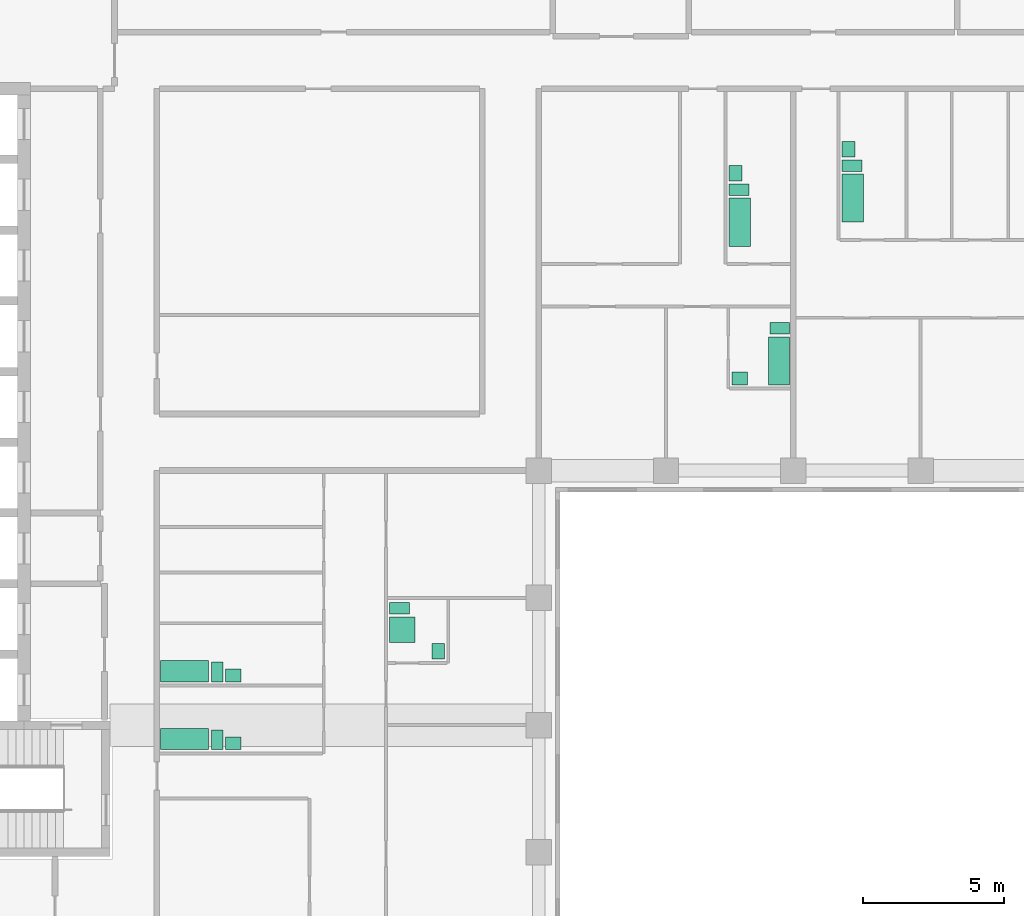
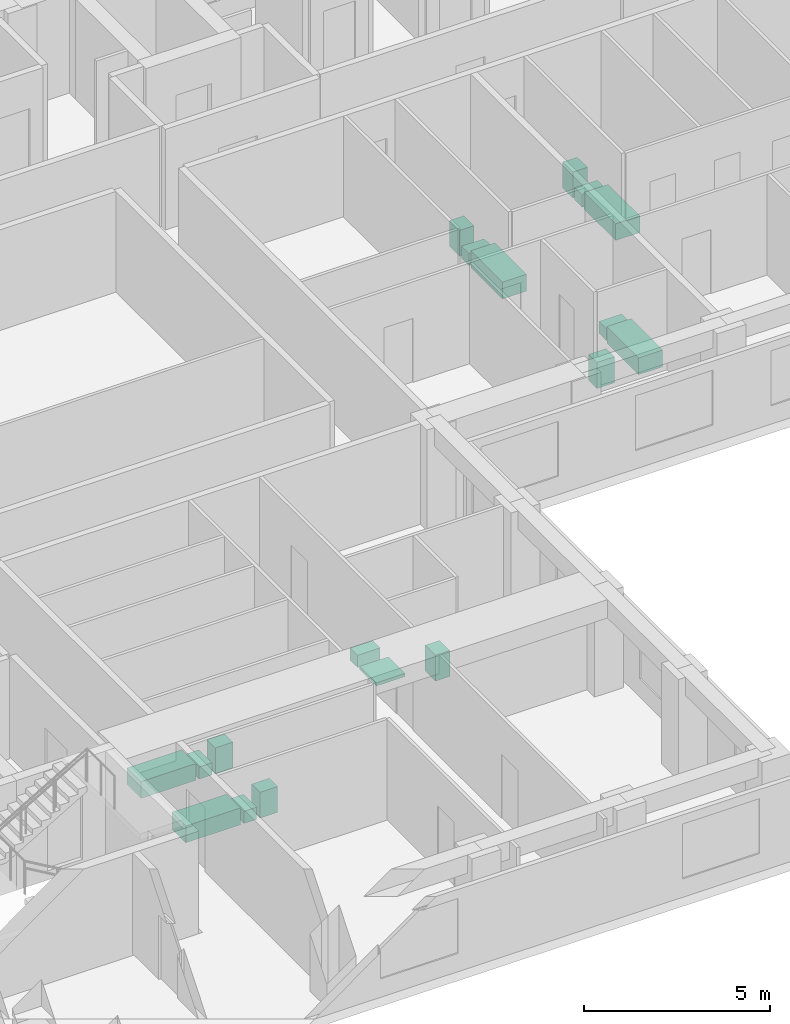
# One storey, part 8 of 8: 18 sanitary terminals.
"""IFC4 building model written with IfcOpenShell, lengths in metres."""

from ifc_helpers import new_model, si_unit, direction, frame, origin, origin_2d, place, context, subcontext, project, spatial, rectangle, extrude, material, type_object, element, save


model = new_model("IFC4")

# Units and contexts
model_context = context("Model", 3, precision=1e-05, world=origin(), true_north=direction((0.0, 1.0)))
body_context = subcontext(model_context, "Body", "Model", "MODEL_VIEW")
ifc_project = project(units=[si_unit("LENGTHUNIT", "METRE"), si_unit("AREAUNIT", "SQUARE_METRE"), si_unit("VOLUMEUNIT", "CUBIC_METRE"), si_unit("PLANEANGLEUNIT", "RADIAN"), si_unit("MASSUNIT", "GRAM", prefix="KILO")], contexts=[model_context])

# Site, building, storey
site_placement = place(None, origin())
site = spatial("IfcSite", under=ifc_project, at=site_placement, CompositionType="ELEMENT")
building_placement = place(site_placement, origin())
building = spatial("IfcBuilding", under=site, at=building_placement, Name="Firuza Court", CompositionType="ELEMENT")
storey_placement = place(building_placement, frame((0.0, 0.0, 236.60009765625)))
storey = spatial("IfcBuildingStorey", under=building, at=storey_placement, Name="L61", CompositionType="ELEMENT", Elevation=236.60009765625)

# Sanitary terminals
ifc_material_1 = material(Name="Vitreous china", Category="ceramic")
sanitary_terminal_type_1 = type_object("IfcSanitaryTerminalType", Name="Fixture Bath", PredefinedType="BATH", material=ifc_material_1)
for number, where, z_axis, x_axis, name in (
    (1, (29.60498046875, 44.780029296875, 0.0), (0.0, 0.0, 1.0), (1.0, 0.0, 0.0), "Bath"),
    (2, (30.9951171875, 39.8798828125, 0.0), (0.0, 0.0, 1.0), (1.0, 0.0, 0.0), "Bath"),
    (3, (33.60498046875, 45.6298828125, 0.0), (0.0, 0.0, 1.0), (1.0, 0.0, 0.0), "Bath"),
):
    element("IfcSanitaryTerminal", number, at=place(storey_placement, frame(where, z_axis=z_axis, x_axis=x_axis)), inside=storey, type_object=sanitary_terminal_type_1, Name=name, PredefinedType="BATH", context=body_context, shape_type="SweptSolid", body=[
        extrude(rectangle(XDim=0.75, YDim=1.699951171875, at=origin_2d()), origin(), (0.0, 0.0, 1.0), 0.550048828125),
    ])
for number, where, z_axis, x_axis, name in (
    (4, (9.97998046875, 26.5048828125, 0.0), (0.0, 0.0, 1.0), (1.0, 0.0, 0.0), "Bath"),
    (5, (9.97998046875, 28.905029296875, 0.0), (0.0, 0.0, 1.0), (1.0, 0.0, 0.0), "Bath"),
):
    element("IfcSanitaryTerminal", number, at=place(storey_placement, frame(where, z_axis=z_axis, x_axis=x_axis)), inside=storey, type_object=sanitary_terminal_type_1, Name=name, PredefinedType="BATH", context=body_context, shape_type="SweptSolid", body=[
        extrude(rectangle(XDim=1.699951171875, YDim=0.75, at=origin_2d()), origin(), (0.0, 0.0, 1.0), 0.550048828125),
    ])
ifc_material_2 = material(Name="Vitreous china", Category="ceramic")
sanitary_terminal_type_2 = type_object("IfcSanitaryTerminalType", Name="Fixture Shower tray", PredefinedType="SHOWER", material=ifc_material_2)
sanitary_terminal_1_placement = place(storey_placement, frame((17.679931640625, 30.3798828125, -0.000244140625), z_axis=(0.0, 0.0, 1.0), x_axis=(1.0, 0.0, 0.0)))
element("IfcSanitaryTerminal", 6, at=sanitary_terminal_1_placement, inside=storey, type_object=sanitary_terminal_type_2, Name="Shower tray", PredefinedType="SHOWER", context=body_context, shape_type="SweptSolid", body=[
    extrude(rectangle(XDim=0.89990234375, YDim=0.89990234375, at=origin_2d()), origin(), (0.0, 0.0, 1.0), 0.10009765625),
])
ifc_material_3 = material(Name="Vitreous china", Category="ceramic")
sanitary_terminal_type_3 = type_object("IfcSanitaryTerminalType", Name="Fixture WC pan", PredefinedType="TOILETPAN", material=ifc_material_3)
for number, where, z_axis, x_axis, name in (
    (7, (29.580078125, 45.929931640625, 0.0), (0.0, 0.0, 1.0), (1.0, 0.0, 0.0), "WC pan"),
    (8, (31.02001953125, 41.030029296875, 0.0), (0.0, 0.0, 1.0), (1.0, 0.0, 0.0), "WC pan"),
    (9, (33.580078125, 46.780029296875, 0.0), (0.0, 0.0, 1.0), (1.0, 0.0, 0.0), "WC pan"),
):
    element("IfcSanitaryTerminal", number, at=place(storey_placement, frame(where, z_axis=z_axis, x_axis=x_axis)), inside=storey, type_object=sanitary_terminal_type_3, Name=name, PredefinedType="TOILETPAN", context=body_context, shape_type="SweptSolid", body=[
        extrude(rectangle(XDim=0.699951171875, YDim=0.39990234375, at=origin_2d()), origin(), (0.0, 0.0, 1.0), 0.39990234375),
    ])
for number, where, z_axis, x_axis, name in (
    (10, (11.1298828125, 26.47998046875, 0.0), (0.0, 0.0, 1.0), (1.0, 0.0, 0.0), "WC pan"),
    (11, (11.1298828125, 28.8798828125, 0.0), (0.0, 0.0, 1.0), (1.0, 0.0, 0.0), "WC pan"),
):
    element("IfcSanitaryTerminal", number, at=place(storey_placement, frame(where, z_axis=z_axis, x_axis=x_axis)), inside=storey, type_object=sanitary_terminal_type_3, Name=name, PredefinedType="TOILETPAN", context=body_context, shape_type="SweptSolid", body=[
        extrude(rectangle(XDim=0.39990234375, YDim=0.699951171875, at=origin_2d()), origin(), (0.0, 0.0, 1.0), 0.39990234375),
    ])
sanitary_terminal_2_placement = place(storey_placement, frame((17.580078125, 31.1298828125, 0.0), z_axis=(0.0, 0.0, 1.0), x_axis=(1.0, 0.0, 0.0)))
element("IfcSanitaryTerminal", 12, at=sanitary_terminal_2_placement, inside=storey, type_object=sanitary_terminal_type_3, Name="WC pan", PredefinedType="TOILETPAN", context=body_context, shape_type="SweptSolid", body=[
    extrude(rectangle(XDim=0.699951171875, YDim=0.39990234375, at=origin_2d()), origin(), (0.0, 0.0, 1.0), 0.39990234375),
])
ifc_material_4 = material(Name="Vitreous china", Category="ceramic")
sanitary_terminal_type_4 = type_object("IfcSanitaryTerminalType", Name="Fixture Washbasin", PredefinedType="WASHHANDBASIN", material=ifc_material_4)
sanitary_terminal_3_placement = place(storey_placement, frame((29.455078125, 46.5048828125, -0.000244140625), z_axis=(0.0, 0.0, 1.0), x_axis=(1.0, 0.0, 0.0)))
element("IfcSanitaryTerminal", 13, at=sanitary_terminal_3_placement, inside=storey, type_object=sanitary_terminal_type_4, Name="Washbasin", PredefinedType="WASHHANDBASIN", context=body_context, shape_type="SweptSolid", body=[
    extrude(rectangle(XDim=0.449951171875, YDim=0.550048828125, at=origin_2d()), origin(), (0.0, 0.0, 1.0), 0.85009765625),
])
sanitary_terminal_4_placement = place(storey_placement, frame((29.60498046875, 39.2548828125, -0.000244140625), z_axis=(0.0, 0.0, 1.0), x_axis=(1.0, 0.0, 0.0)))
element("IfcSanitaryTerminal", 14, at=sanitary_terminal_4_placement, inside=storey, type_object=sanitary_terminal_type_4, Name="Washbasin", PredefinedType="WASHHANDBASIN", context=body_context, shape_type="SweptSolid", body=[
    extrude(rectangle(XDim=0.550048828125, YDim=0.449951171875, at=origin_2d()), origin(), (0.0, 0.0, 1.0), 0.85009765625),
])
sanitary_terminal_5_placement = place(storey_placement, frame((33.455078125, 47.35498046875, -0.000244140625), z_axis=(0.0, 0.0, 1.0), x_axis=(1.0, 0.0, 0.0)))
element("IfcSanitaryTerminal", 15, at=sanitary_terminal_5_placement, inside=storey, type_object=sanitary_terminal_type_4, Name="Washbasin", PredefinedType="WASHHANDBASIN", context=body_context, shape_type="SweptSolid", body=[
    extrude(rectangle(XDim=0.449951171875, YDim=0.550048828125, at=origin_2d()), origin(), (0.0, 0.0, 1.0), 0.85009765625),
])
for number, where, z_axis, x_axis, name in (
    (16, (11.705078125, 26.35498046875, -0.000244140625), (0.0, 0.0, 1.0), (1.0, 0.0, 0.0), "Washbasin"),
    (17, (11.705078125, 28.7548828125, -0.000244140625), (0.0, 0.0, 1.0), (1.0, 0.0, 0.0), "Washbasin"),
):
    element("IfcSanitaryTerminal", number, at=place(storey_placement, frame(where, z_axis=z_axis, x_axis=x_axis)), inside=storey, type_object=sanitary_terminal_type_4, Name=name, PredefinedType="WASHHANDBASIN", context=body_context, shape_type="SweptSolid", body=[
        extrude(rectangle(XDim=0.550048828125, YDim=0.449951171875, at=origin_2d()), origin(), (0.0, 0.0, 1.0), 0.85009765625),
    ])
sanitary_terminal_6_placement = place(storey_placement, frame((18.945068359375, 29.60498046875, -0.000244140625), z_axis=(0.0, 0.0, 1.0), x_axis=(1.0, 0.0, 0.0)))
element("IfcSanitaryTerminal", 18, at=sanitary_terminal_6_placement, inside=storey, type_object=sanitary_terminal_type_4, Name="Washbasin", PredefinedType="WASHHANDBASIN", context=body_context, shape_type="SweptSolid", body=[
    extrude(rectangle(XDim=0.449951171875, YDim=0.550048828125, at=origin_2d()), origin(), (0.0, 0.0, 1.0), 0.85009765625),
])

save(model, "model.ifc")
